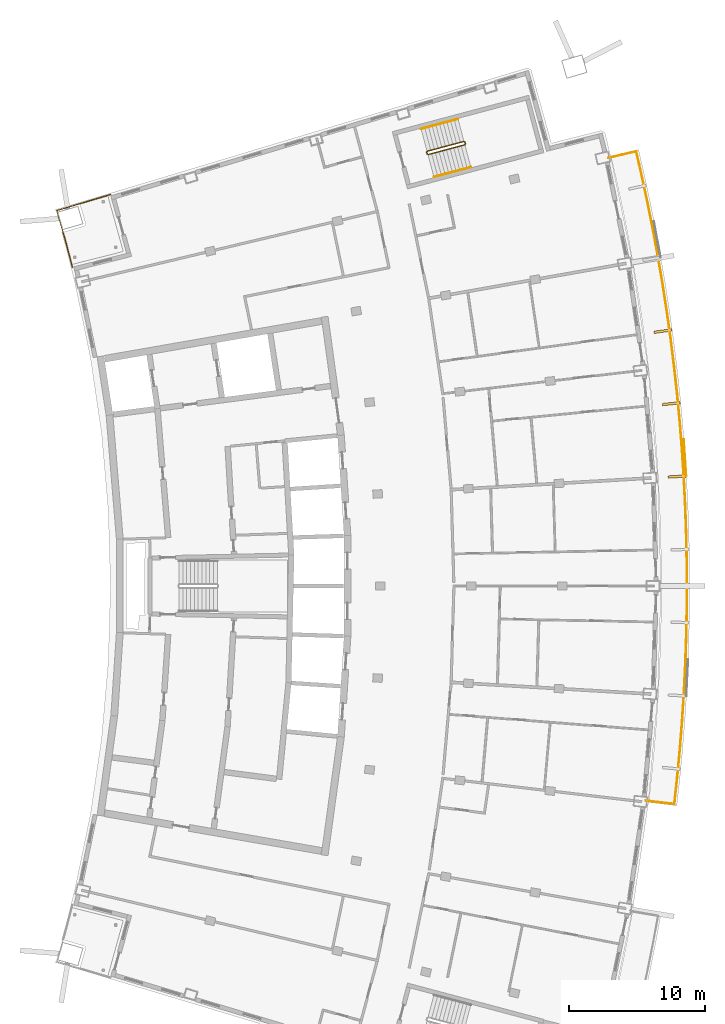
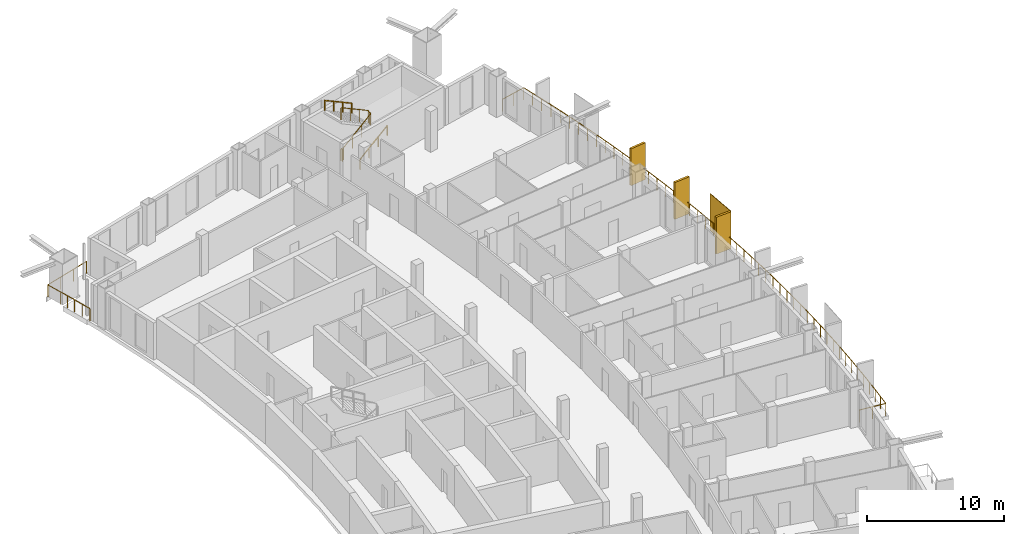
# One storey, part 14 of 15: 5 railings, 4 shading devices.
"""IFC4 building model written with IfcOpenShell, lengths in metres."""

from ifc_helpers import new_model, si_unit, direction, frame, origin, origin_2d, place, context, subcontext, project, spatial, rectangle, extrude, material, layer, layer_set, type_object, element, save


model = new_model("IFC4")

# Units and contexts
model_context = context("Model", 3, precision=1e-05, world=origin(), true_north=direction((0.0, 1.0)))
body_context = subcontext(model_context, "Body", "Model", "MODEL_VIEW")
ifc_project = project(units=[si_unit("LENGTHUNIT", "METRE"), si_unit("AREAUNIT", "SQUARE_METRE"), si_unit("VOLUMEUNIT", "CUBIC_METRE"), si_unit("PLANEANGLEUNIT", "RADIAN"), si_unit("MASSUNIT", "GRAM", prefix="KILO")], contexts=[model_context])

# Site, building, storey
site_placement = place(None, origin())
site = spatial("IfcSite", under=ifc_project, at=site_placement, CompositionType="ELEMENT")
building_placement = place(site_placement, origin())
building = spatial("IfcBuilding", under=site, at=building_placement, Name="Alderwake Tower", CompositionType="ELEMENT")
storey_placement = place(building_placement, frame((0.0, 0.0, 285.199951171875)))
storey = spatial("IfcBuildingStorey", under=building, at=storey_placement, Name="L71", CompositionType="ELEMENT", Elevation=285.199951171875)

# Railings
ifc_material_1 = material(Name="Stainless steel 316 rail and posts", Category="steel")
railing_type_1 = type_object("IfcRailingType", Name="Balcony guard 1100", PredefinedType="GUARDRAIL", material=ifc_material_1)
railing_1_placement = place(storey_placement, frame((55.28564453125, 45.243896484375, 0.0)))
element("IfcRailing", 1, at=railing_1_placement, inside=storey, type_object=railing_type_1, Name="Guard BF05", PredefinedType="GUARDRAIL", context=body_context, shape_type="SweptSolid", body=[
    extrude(rectangle(XDim=0.048095703125, YDim=0.048095703125, at=origin_2d()), frame((0.0, 0.0, 1.076171875), z_axis=(0.993287203457, -0.115674247125, 0.0), x_axis=(0.115674247125, 0.993287203457, 0.0)), (0.0, 0.0, 1.0), 2.10009765625),
    extrude(rectangle(XDim=0.048095703125, YDim=0.048095703125, at=origin_2d()), frame((2.0859375, -0.242919921875, 1.076171875), z_axis=(0.108767888102, 0.994067174047, 0.0), x_axis=(-0.994067174047, 0.108767888102, 0.0)), (0.0, 0.0, 1.0), 1.9169921875),
    extrude(rectangle(XDim=0.048095703125, YDim=0.048095703125, at=origin_2d()), frame((2.29443359375, 1.66259765625, 1.076171875), z_axis=(0.094660568138, 0.995509606604, 0.0), x_axis=(-0.995509606604, 0.094660568138, 0.0)), (0.0, 0.0, 1.0), 2.016845703125),
    extrude(rectangle(XDim=0.048095703125, YDim=0.048095703125, at=origin_2d()), frame((2.4853515625, 3.67041015625, 1.076171875), z_axis=(0.080139758047, 0.996783637095, 0.0), x_axis=(-0.996783637095, 0.080139758047, 0.0)), (0.0, 0.0, 1.0), 2.016845703125),
    extrude(rectangle(XDim=0.048095703125, YDim=0.048095703125, at=origin_2d()), frame((2.64697265625, 5.6806640625, 1.076171875), z_axis=(0.065490546604, 0.997853189756, 0.0), x_axis=(-0.997853189756, 0.065490546604, 0.0)), (0.0, 0.0, 1.0), 2.016845703125),
    extrude(rectangle(XDim=0.048095703125, YDim=0.048095703125, at=origin_2d()), frame((2.779052734375, 7.693115234375, 1.076171875), z_axis=(0.051078552606, 0.998694638748, 0.0), x_axis=(-0.998694638748, 0.051078552606, 0.0)), (0.0, 0.0, 1.0), 2.01708984375),
    extrude(rectangle(XDim=0.048095703125, YDim=0.048095703125, at=origin_2d()), frame((2.882080078125, 9.70751953125, 1.076171875), z_axis=(0.036438534793, 0.999335896074, 0.0), x_axis=(-0.999335896074, 0.036438534793, 0.0)), (0.0, 0.0, 1.0), 2.0166015625),
    extrude(rectangle(XDim=0.048095703125, YDim=0.048095703125, at=origin_2d()), frame((2.95556640625, 11.722900390625, 1.076171875), z_axis=(0.021910225153, 0.999759942203, 0.0), x_axis=(-0.999759942203, 0.021910225153, 0.0)), (0.0, 0.0, 1.0), 2.016845703125),
    extrude(rectangle(XDim=0.048095703125, YDim=0.048095703125, at=origin_2d()), frame((2.999755859375, 13.7392578125, 1.076171875), z_axis=(0.007262851653, 0.999973625145, 0.0), x_axis=(-0.999973625145, 0.007262851653, 0.0)), (0.0, 0.0, 1.0), 2.016845703125),
    extrude(rectangle(XDim=0.048095703125, YDim=0.048095703125, at=origin_2d()), frame((3.014404296875, 15.756103515625, 1.076171875), z_axis=(-0.007262851653, 0.999973625145, 0.0), x_axis=(-0.999973625145, -0.007262851653, 0.0)), (0.0, 0.0, 1.0), 2.016845703125),
    extrude(rectangle(XDim=0.048095703125, YDim=0.048095703125, at=origin_2d()), frame((2.999755859375, 17.77294921875, 1.076171875), z_axis=(-0.021910225153, 0.999759942203, 0.0), x_axis=(-0.999759942203, -0.021910225153, 0.0)), (0.0, 0.0, 1.0), 2.016845703125),
    extrude(rectangle(XDim=0.048095703125, YDim=0.048095703125, at=origin_2d()), frame((2.95556640625, 19.789306640625, 1.076171875), z_axis=(-0.036438534793, 0.999335896074, 0.0), x_axis=(-0.999335896074, -0.036438534793, 0.0)), (0.0, 0.0, 1.0), 2.0166015625),
    extrude(rectangle(XDim=0.048095703125, YDim=0.048095703125, at=origin_2d()), frame((2.882080078125, 21.8046875, 1.076171875), z_axis=(-0.051078552606, 0.998694638748, 0.0), x_axis=(-0.998694638748, -0.051078552606, 0.0)), (0.0, 0.0, 1.0), 2.01708984375),
    extrude(rectangle(XDim=0.048095703125, YDim=0.048095703125, at=origin_2d()), frame((2.779052734375, 23.819091796875, 1.076171875), z_axis=(-0.065490546604, 0.997853189756, 0.0), x_axis=(-0.997853189756, -0.065490546604, 0.0)), (0.0, 0.0, 1.0), 2.016845703125),
    extrude(rectangle(XDim=0.048095703125, YDim=0.048095703125, at=origin_2d()), frame((2.64697265625, 25.83154296875, 1.076171875), z_axis=(-0.080139758047, 0.996783637095, 0.0), x_axis=(-0.996783637095, -0.080139758047, 0.0)), (0.0, 0.0, 1.0), 2.016845703125),
    extrude(rectangle(XDim=0.048095703125, YDim=0.048095703125, at=origin_2d()), frame((2.4853515625, 27.841796875, 1.076171875), z_axis=(-0.094660568138, 0.995509606604, 0.0), x_axis=(-0.995509606604, -0.094660568138, 0.0)), (0.0, 0.0, 1.0), 2.016845703125),
    extrude(rectangle(XDim=0.048095703125, YDim=0.048095703125, at=origin_2d()), frame((2.29443359375, 29.849609375, 1.076171875), z_axis=(-0.109182608564, 0.994021709012, 0.0), x_axis=(-0.994021709012, -0.109182608564, 0.0)), (0.0, 0.0, 1.0), 2.016845703125),
    extrude(rectangle(XDim=0.048095703125, YDim=0.048095703125, at=origin_2d()), frame((2.07421875, 31.8544921875, 1.076171875), z_axis=(-0.12358778359, 0.992333643362, 0.0), x_axis=(-0.992333643362, -0.12358778359, 0.0)), (0.0, 0.0, 1.0), 2.016845703125),
    extrude(rectangle(XDim=0.048095703125, YDim=0.048095703125, at=origin_2d()), frame((1.824951171875, 33.85595703125, 1.076171875), z_axis=(-0.138115953445, 0.990416065805, 0.0), x_axis=(-0.990416065805, -0.138115953445, 0.0)), (0.0, 0.0, 1.0), 2.016845703125),
    extrude(rectangle(XDim=0.048095703125, YDim=0.048095703125, at=origin_2d()), frame((1.54638671875, 35.853515625, 1.076171875), z_axis=(-0.152530193773, 0.988298811083, 0.0), x_axis=(-0.988298811083, -0.152530193773, 0.0)), (0.0, 0.0, 1.0), 2.016845703125),
    extrude(rectangle(XDim=0.048095703125, YDim=0.048095703125, at=origin_2d()), frame((1.23876953125, 37.8466796875, 1.076171875), z_axis=(-0.166930722761, 0.985968627188, 0.0), x_axis=(-0.985968627188, -0.166930722761, 0.0)), (0.0, 0.0, 1.0), 2.016845703125),
    extrude(rectangle(XDim=0.048095703125, YDim=0.048095703125, at=origin_2d()), frame((0.902099609375, 39.835205078125, 1.076171875), z_axis=(-0.181334963414, 0.983421390373, 0.0), x_axis=(-0.983421390373, -0.181334963414, 0.0)), (0.0, 0.0, 1.0), 2.016845703125),
    extrude(rectangle(XDim=0.048095703125, YDim=0.048095703125, at=origin_2d()), frame((0.536376953125, 41.818603515625, 1.076171875), z_axis=(-0.195604007271, 0.980682962195, 0.0), x_axis=(-0.980682962195, -0.195604007271, 0.0)), (0.0, 0.0, 1.0), 2.01708984375),
    extrude(rectangle(XDim=0.048095703125, YDim=0.048095703125, at=origin_2d()), frame((0.141845703125, 43.796630859375, 1.076171875), z_axis=(-0.20990108156, 0.977722627313, 0.0), x_axis=(-0.977722627313, -0.20990108156, 0.0)), (0.0, 0.0, 1.0), 2.016845703125),
    extrude(rectangle(XDim=0.048095703125, YDim=0.048095703125, at=origin_2d()), frame((-0.281494140625, 45.7685546875, 1.076171875), z_axis=(-0.223789603838, 0.974637477842, 0.0), x_axis=(-0.974637477842, -0.223789603838, 0.0)), (0.0, 0.0, 1.0), 1.916748046875),
    extrude(rectangle(XDim=0.048095703125, YDim=0.048095703125, at=origin_2d()), frame((-0.71044921875, 47.63671875, 1.076171875), z_axis=(-0.973057638874, -0.230561990427, 0.0), x_axis=(0.230561990427, -0.973057638874, 0.0)), (0.0, 0.0, 1.0), 2.099853515625),
    extrude(rectangle(XDim=0.0419921875, YDim=0.0419921875, at=origin_2d()), frame((0.0, 0.0, 0.0), z_axis=(0.0, 0.0, 1.0), x_axis=(0.993287203457, -0.115674247125, 0.0)), (0.0, 0.0, 1.0), 1.052001953125),
    extrude(rectangle(XDim=0.0419921875, YDim=0.0419921875, at=origin_2d()), frame((1.04296875, -0.12158203125, 0.0), z_axis=(0.0, 0.0, 1.0), x_axis=(0.993287203457, -0.115674247125, 0.0)), (0.0, 0.0, 1.0), 1.052001953125),
    extrude(rectangle(XDim=0.0419921875, YDim=0.0419921875, at=origin_2d()), frame((2.0859375, -0.242919921875, 0.0), z_axis=(0.0, 0.0, 1.0), x_axis=(0.108767888102, 0.994067174047, 0.0)), (0.0, 0.0, 1.0), 1.052001953125),
    extrude(rectangle(XDim=0.0419921875, YDim=0.0419921875, at=origin_2d()), frame((2.190185546875, 0.7099609375, 0.0), z_axis=(0.0, 0.0, 1.0), x_axis=(0.108767888102, 0.994067174047, 0.0)), (0.0, 0.0, 1.0), 1.052001953125),
    extrude(rectangle(XDim=0.0419921875, YDim=0.0419921875, at=origin_2d()), frame((2.29443359375, 1.66259765625, 0.0), z_axis=(0.0, 0.0, 1.0), x_axis=(0.094660568138, 0.995509606604, 0.0)), (0.0, 0.0, 1.0), 1.052001953125),
    extrude(rectangle(XDim=0.0419921875, YDim=0.0419921875, at=origin_2d()), frame((2.389892578125, 2.66650390625, 0.0), z_axis=(0.0, 0.0, 1.0), x_axis=(0.094660568138, 0.995509606604, 0.0)), (0.0, 0.0, 1.0), 1.052001953125),
    extrude(rectangle(XDim=0.0419921875, YDim=0.0419921875, at=origin_2d()), frame((2.4853515625, 3.67041015625, 0.0), z_axis=(0.0, 0.0, 1.0), x_axis=(0.080139758047, 0.996783637095, 0.0)), (0.0, 0.0, 1.0), 1.052001953125),
    extrude(rectangle(XDim=0.0419921875, YDim=0.0419921875, at=origin_2d()), frame((2.566162109375, 4.675537109375, 0.0), z_axis=(0.0, 0.0, 1.0), x_axis=(0.080139758047, 0.996783637095, 0.0)), (0.0, 0.0, 1.0), 1.052001953125),
    extrude(rectangle(XDim=0.0419921875, YDim=0.0419921875, at=origin_2d()), frame((2.64697265625, 5.6806640625, 0.0), z_axis=(0.0, 0.0, 1.0), x_axis=(0.065490546604, 0.997853189756, 0.0)), (0.0, 0.0, 1.0), 1.052001953125),
    extrude(rectangle(XDim=0.0419921875, YDim=0.0419921875, at=origin_2d()), frame((2.712890625, 6.68701171875, 0.0), z_axis=(0.0, 0.0, 1.0), x_axis=(0.065490546604, 0.997853189756, 0.0)), (0.0, 0.0, 1.0), 1.052001953125),
    extrude(rectangle(XDim=0.0419921875, YDim=0.0419921875, at=origin_2d()), frame((2.779052734375, 7.693115234375, 0.0), z_axis=(0.0, 0.0, 1.0), x_axis=(0.051078552606, 0.998694638748, 0.0)), (0.0, 0.0, 1.0), 1.052001953125),
    extrude(rectangle(XDim=0.0419921875, YDim=0.0419921875, at=origin_2d()), frame((2.83056640625, 8.7001953125, 0.0), z_axis=(0.0, 0.0, 1.0), x_axis=(0.051078552606, 0.998694638748, 0.0)), (0.0, 0.0, 1.0), 1.052001953125),
    extrude(rectangle(XDim=0.0419921875, YDim=0.0419921875, at=origin_2d()), frame((2.882080078125, 9.70751953125, 0.0), z_axis=(0.0, 0.0, 1.0), x_axis=(0.036438534793, 0.999335896074, 0.0)), (0.0, 0.0, 1.0), 1.052001953125),
    extrude(rectangle(XDim=0.0419921875, YDim=0.0419921875, at=origin_2d()), frame((2.9189453125, 10.71533203125, 0.0), z_axis=(0.0, 0.0, 1.0), x_axis=(0.036438534793, 0.999335896074, 0.0)), (0.0, 0.0, 1.0), 1.052001953125),
    extrude(rectangle(XDim=0.0419921875, YDim=0.0419921875, at=origin_2d()), frame((2.95556640625, 11.722900390625, 0.0), z_axis=(0.0, 0.0, 1.0), x_axis=(0.021910225153, 0.999759942203, 0.0)), (0.0, 0.0, 1.0), 1.052001953125),
    extrude(rectangle(XDim=0.0419921875, YDim=0.0419921875, at=origin_2d()), frame((2.9775390625, 12.73095703125, 0.0), z_axis=(0.0, 0.0, 1.0), x_axis=(0.021910225153, 0.999759942203, 0.0)), (0.0, 0.0, 1.0), 1.052001953125),
    extrude(rectangle(XDim=0.0419921875, YDim=0.0419921875, at=origin_2d()), frame((2.999755859375, 13.7392578125, 0.0), z_axis=(0.0, 0.0, 1.0), x_axis=(0.007262851653, 0.999973625145, 0.0)), (0.0, 0.0, 1.0), 1.052001953125),
    extrude(rectangle(XDim=0.0419921875, YDim=0.0419921875, at=origin_2d()), frame((3.007080078125, 14.74755859375, 0.0), z_axis=(0.0, 0.0, 1.0), x_axis=(0.007262851653, 0.999973625145, 0.0)), (0.0, 0.0, 1.0), 1.052001953125),
    extrude(rectangle(XDim=0.0419921875, YDim=0.0419921875, at=origin_2d()), frame((3.014404296875, 15.756103515625, 0.0), z_axis=(0.0, 0.0, 1.0), x_axis=(-0.007262851653, 0.999973625145, 0.0)), (0.0, 0.0, 1.0), 1.052001953125),
    extrude(rectangle(XDim=0.0419921875, YDim=0.0419921875, at=origin_2d()), frame((3.007080078125, 16.7646484375, 0.0), z_axis=(0.0, 0.0, 1.0), x_axis=(-0.007262851653, 0.999973625145, 0.0)), (0.0, 0.0, 1.0), 1.052001953125),
    extrude(rectangle(XDim=0.0419921875, YDim=0.0419921875, at=origin_2d()), frame((2.999755859375, 17.77294921875, 0.0), z_axis=(0.0, 0.0, 1.0), x_axis=(-0.021910225153, 0.999759942203, 0.0)), (0.0, 0.0, 1.0), 1.052001953125),
    extrude(rectangle(XDim=0.0419921875, YDim=0.0419921875, at=origin_2d()), frame((2.9775390625, 18.78125, 0.0), z_axis=(0.0, 0.0, 1.0), x_axis=(-0.021910225153, 0.999759942203, 0.0)), (0.0, 0.0, 1.0), 1.052001953125),
    extrude(rectangle(XDim=0.0419921875, YDim=0.0419921875, at=origin_2d()), frame((2.95556640625, 19.789306640625, 0.0), z_axis=(0.0, 0.0, 1.0), x_axis=(-0.036438534793, 0.999335896074, 0.0)), (0.0, 0.0, 1.0), 1.052001953125),
    extrude(rectangle(XDim=0.0419921875, YDim=0.0419921875, at=origin_2d()), frame((2.9189453125, 20.796875, 0.0), z_axis=(0.0, 0.0, 1.0), x_axis=(-0.036438534793, 0.999335896074, 0.0)), (0.0, 0.0, 1.0), 1.052001953125),
    extrude(rectangle(XDim=0.0419921875, YDim=0.0419921875, at=origin_2d()), frame((2.882080078125, 21.8046875, 0.0), z_axis=(0.0, 0.0, 1.0), x_axis=(-0.051078552606, 0.998694638748, 0.0)), (0.0, 0.0, 1.0), 1.052001953125),
    extrude(rectangle(XDim=0.0419921875, YDim=0.0419921875, at=origin_2d()), frame((2.83056640625, 22.81201171875, 0.0), z_axis=(0.0, 0.0, 1.0), x_axis=(-0.051078552606, 0.998694638748, 0.0)), (0.0, 0.0, 1.0), 1.052001953125),
    extrude(rectangle(XDim=0.0419921875, YDim=0.0419921875, at=origin_2d()), frame((2.779052734375, 23.819091796875, 0.0), z_axis=(0.0, 0.0, 1.0), x_axis=(-0.065490546604, 0.997853189756, 0.0)), (0.0, 0.0, 1.0), 1.052001953125),
    extrude(rectangle(XDim=0.0419921875, YDim=0.0419921875, at=origin_2d()), frame((2.712890625, 24.8251953125, 0.0), z_axis=(0.0, 0.0, 1.0), x_axis=(-0.065490546604, 0.997853189756, 0.0)), (0.0, 0.0, 1.0), 1.052001953125),
    extrude(rectangle(XDim=0.0419921875, YDim=0.0419921875, at=origin_2d()), frame((2.64697265625, 25.83154296875, 0.0), z_axis=(0.0, 0.0, 1.0), x_axis=(-0.080139758047, 0.996783637095, 0.0)), (0.0, 0.0, 1.0), 1.052001953125),
    extrude(rectangle(XDim=0.0419921875, YDim=0.0419921875, at=origin_2d()), frame((2.566162109375, 26.836669921875, 0.0), z_axis=(0.0, 0.0, 1.0), x_axis=(-0.080139758047, 0.996783637095, 0.0)), (0.0, 0.0, 1.0), 1.052001953125),
    extrude(rectangle(XDim=0.0419921875, YDim=0.0419921875, at=origin_2d()), frame((2.4853515625, 27.841796875, 0.0), z_axis=(0.0, 0.0, 1.0), x_axis=(-0.094660568138, 0.995509606604, 0.0)), (0.0, 0.0, 1.0), 1.052001953125),
    extrude(rectangle(XDim=0.0419921875, YDim=0.0419921875, at=origin_2d()), frame((2.389892578125, 28.845703125, 0.0), z_axis=(0.0, 0.0, 1.0), x_axis=(-0.094660568138, 0.995509606604, 0.0)), (0.0, 0.0, 1.0), 1.052001953125),
    extrude(rectangle(XDim=0.0419921875, YDim=0.0419921875, at=origin_2d()), frame((2.29443359375, 29.849609375, 0.0), z_axis=(0.0, 0.0, 1.0), x_axis=(-0.109182608564, 0.994021709012, 0.0)), (0.0, 0.0, 1.0), 1.052001953125),
    extrude(rectangle(XDim=0.0419921875, YDim=0.0419921875, at=origin_2d()), frame((2.184326171875, 30.85205078125, 0.0), z_axis=(0.0, 0.0, 1.0), x_axis=(-0.109182608564, 0.994021709012, 0.0)), (0.0, 0.0, 1.0), 1.052001953125),
    extrude(rectangle(XDim=0.0419921875, YDim=0.0419921875, at=origin_2d()), frame((2.07421875, 31.8544921875, 0.0), z_axis=(0.0, 0.0, 1.0), x_axis=(-0.12358778359, 0.992333643362, 0.0)), (0.0, 0.0, 1.0), 1.052001953125),
    extrude(rectangle(XDim=0.0419921875, YDim=0.0419921875, at=origin_2d()), frame((1.94970703125, 32.855224609375, 0.0), z_axis=(0.0, 0.0, 1.0), x_axis=(-0.12358778359, 0.992333643362, 0.0)), (0.0, 0.0, 1.0), 1.052001953125),
    extrude(rectangle(XDim=0.0419921875, YDim=0.0419921875, at=origin_2d()), frame((1.824951171875, 33.85595703125, 0.0), z_axis=(0.0, 0.0, 1.0), x_axis=(-0.138115953445, 0.990416065805, 0.0)), (0.0, 0.0, 1.0), 1.052001953125),
    extrude(rectangle(XDim=0.0419921875, YDim=0.0419921875, at=origin_2d()), frame((1.685546875, 34.854736328125, 0.0), z_axis=(0.0, 0.0, 1.0), x_axis=(-0.138115953445, 0.990416065805, 0.0)), (0.0, 0.0, 1.0), 1.052001953125),
    extrude(rectangle(XDim=0.0419921875, YDim=0.0419921875, at=origin_2d()), frame((1.54638671875, 35.853515625, 0.0), z_axis=(0.0, 0.0, 1.0), x_axis=(-0.152530193773, 0.988298811083, 0.0)), (0.0, 0.0, 1.0), 1.052001953125),
    extrude(rectangle(XDim=0.0419921875, YDim=0.0419921875, at=origin_2d()), frame((1.392578125, 36.85009765625, 0.0), z_axis=(0.0, 0.0, 1.0), x_axis=(-0.152530193773, 0.988298811083, 0.0)), (0.0, 0.0, 1.0), 1.052001953125),
    extrude(rectangle(XDim=0.0419921875, YDim=0.0419921875, at=origin_2d()), frame((1.23876953125, 37.8466796875, 0.0), z_axis=(0.0, 0.0, 1.0), x_axis=(-0.166930722761, 0.985968627188, 0.0)), (0.0, 0.0, 1.0), 1.052001953125),
    extrude(rectangle(XDim=0.0419921875, YDim=0.0419921875, at=origin_2d()), frame((1.0703125, 38.8408203125, 0.0), z_axis=(0.0, 0.0, 1.0), x_axis=(-0.166930722761, 0.985968627188, 0.0)), (0.0, 0.0, 1.0), 1.052001953125),
    extrude(rectangle(XDim=0.0419921875, YDim=0.0419921875, at=origin_2d()), frame((0.902099609375, 39.835205078125, 0.0), z_axis=(0.0, 0.0, 1.0), x_axis=(-0.181334963414, 0.983421390373, 0.0)), (0.0, 0.0, 1.0), 1.052001953125),
    extrude(rectangle(XDim=0.0419921875, YDim=0.0419921875, at=origin_2d()), frame((0.71923828125, 40.826904296875, 0.0), z_axis=(0.0, 0.0, 1.0), x_axis=(-0.181334963414, 0.983421390373, 0.0)), (0.0, 0.0, 1.0), 1.052001953125),
    extrude(rectangle(XDim=0.0419921875, YDim=0.0419921875, at=origin_2d()), frame((0.536376953125, 41.818603515625, 0.0), z_axis=(0.0, 0.0, 1.0), x_axis=(-0.195604007271, 0.980682962195, 0.0)), (0.0, 0.0, 1.0), 1.052001953125),
    extrude(rectangle(XDim=0.0419921875, YDim=0.0419921875, at=origin_2d()), frame((0.339111328125, 42.8076171875, 0.0), z_axis=(0.0, 0.0, 1.0), x_axis=(-0.195604007271, 0.980682962195, 0.0)), (0.0, 0.0, 1.0), 1.052001953125),
    extrude(rectangle(XDim=0.0419921875, YDim=0.0419921875, at=origin_2d()), frame((0.141845703125, 43.796630859375, 0.0), z_axis=(0.0, 0.0, 1.0), x_axis=(-0.20990108156, 0.977722627313, 0.0)), (0.0, 0.0, 1.0), 1.052001953125),
    extrude(rectangle(XDim=0.0419921875, YDim=0.0419921875, at=origin_2d()), frame((-0.06982421875, 44.78271484375, 0.0), z_axis=(0.0, 0.0, 1.0), x_axis=(-0.20990108156, 0.977722627313, 0.0)), (0.0, 0.0, 1.0), 1.052001953125),
    extrude(rectangle(XDim=0.0419921875, YDim=0.0419921875, at=origin_2d()), frame((-0.281494140625, 45.7685546875, 0.0), z_axis=(0.0, 0.0, 1.0), x_axis=(-0.223789603838, 0.974637477842, 0.0)), (0.0, 0.0, 1.0), 1.052001953125),
    extrude(rectangle(XDim=0.0419921875, YDim=0.0419921875, at=origin_2d()), frame((-0.49609375, 46.70263671875, 0.0), z_axis=(0.0, 0.0, 1.0), x_axis=(-0.223789603838, 0.974637477842, 0.0)), (0.0, 0.0, 1.0), 1.052001953125),
    extrude(rectangle(XDim=0.0419921875, YDim=0.0419921875, at=origin_2d()), frame((-0.71044921875, 47.63671875, 0.0), z_axis=(0.0, 0.0, 1.0), x_axis=(-0.973057638874, -0.230561990427, 0.0)), (0.0, 0.0, 1.0), 1.052001953125),
    extrude(rectangle(XDim=0.0419921875, YDim=0.0419921875, at=origin_2d()), frame((-1.73193359375, 47.39453125, 0.0), z_axis=(0.0, 0.0, 1.0), x_axis=(-0.973057638874, -0.230561990427, 0.0)), (0.0, 0.0, 1.0), 1.052001953125),
    extrude(rectangle(XDim=0.0419921875, YDim=0.0419921875, at=origin_2d()), frame((-2.753662109375, 47.152587890625, 0.0), z_axis=(0.0, 0.0, 1.0), x_axis=(-0.973057638874, -0.230561990427, 0.0)), (0.0, 0.0, 1.0), 1.052001953125),
])
railing_2_placement = place(storey_placement, frame((13.210693359375, 84.387451171875, 0.0)))
element("IfcRailing", 2, at=railing_2_placement, inside=storey, type_object=railing_type_1, Name="Guard terrace RN", PredefinedType="GUARDRAIL", context=body_context, shape_type="SweptSolid", body=[
    extrude(rectangle(XDim=0.048095703125, YDim=0.048095703125, at=origin_2d()), frame((0.0, 0.0, 1.076171875), z_axis=(-0.251385381433, 0.967887075026, 0.0), x_axis=(-0.967887075026, -0.251385381433, 0.0)), (0.0, 0.0, 1.0), 1.6015625),
    extrude(rectangle(XDim=0.048095703125, YDim=0.048095703125, at=origin_2d()), frame((-0.402587890625, 1.550048828125, 1.076171875), z_axis=(-0.266520638672, 0.963829211615, 0.0), x_axis=(-0.963829211615, -0.266520638672, 0.0)), (0.0, 0.0, 1.0), 1.401611328125),
    extrude(rectangle(XDim=0.048095703125, YDim=0.048095703125, at=origin_2d()), frame((-0.776123046875, 2.90087890625, 1.076171875), z_axis=(-0.280093650878, 0.959972680204, 0.0), x_axis=(-0.959972680204, -0.280093650878, 0.0)), (0.0, 0.0, 1.0), 1.30126953125),
    extrude(rectangle(XDim=0.048095703125, YDim=0.048095703125, at=origin_2d()), frame((-1.140625, 4.150146484375, 1.076171875), z_axis=(0.958066871889, 0.286544706789, 0.0), x_axis=(-0.286544706789, 0.958066871889, 0.0)), (0.0, 0.0, 1.0), 4.099853515625),
    extrude(rectangle(XDim=0.0419921875, YDim=0.0419921875, at=origin_2d()), frame((0.0, 0.0, 0.0), z_axis=(0.0, 0.0, 1.0), x_axis=(-0.251385381433, 0.967887075026, 0.0)), (0.0, 0.0, 1.0), 1.052001953125),
    extrude(rectangle(XDim=0.0419921875, YDim=0.0419921875, at=origin_2d()), frame((-0.201171875, 0.77490234375, 0.0), z_axis=(0.0, 0.0, 1.0), x_axis=(-0.251385381433, 0.967887075026, 0.0)), (0.0, 0.0, 1.0), 1.052001953125),
    extrude(rectangle(XDim=0.0419921875, YDim=0.0419921875, at=origin_2d()), frame((-0.402587890625, 1.550048828125, 0.0), z_axis=(0.0, 0.0, 1.0), x_axis=(-0.266520638672, 0.963829211615, 0.0)), (0.0, 0.0, 1.0), 1.052001953125),
    extrude(rectangle(XDim=0.0419921875, YDim=0.0419921875, at=origin_2d()), frame((-0.58935546875, 2.2255859375, 0.0), z_axis=(0.0, 0.0, 1.0), x_axis=(-0.266520638672, 0.963829211615, 0.0)), (0.0, 0.0, 1.0), 1.052001953125),
    extrude(rectangle(XDim=0.0419921875, YDim=0.0419921875, at=origin_2d()), frame((-0.776123046875, 2.90087890625, 0.0), z_axis=(0.0, 0.0, 1.0), x_axis=(-0.280093650878, 0.959972680204, 0.0)), (0.0, 0.0, 1.0), 1.052001953125),
    extrude(rectangle(XDim=0.0419921875, YDim=0.0419921875, at=origin_2d()), frame((-1.140625, 4.150146484375, 0.0), z_axis=(0.0, 0.0, 1.0), x_axis=(0.958066871889, 0.286544706789, 0.0)), (0.0, 0.0, 1.0), 1.052001953125),
    extrude(rectangle(XDim=0.0419921875, YDim=0.0419921875, at=origin_2d()), frame((0.168701171875, 4.541748046875, 0.0), z_axis=(0.0, 0.0, 1.0), x_axis=(0.958066871889, 0.286544706789, 0.0)), (0.0, 0.0, 1.0), 1.052001953125),
    extrude(rectangle(XDim=0.0419921875, YDim=0.0419921875, at=origin_2d()), frame((1.47802734375, 4.933349609375, 0.0), z_axis=(0.0, 0.0, 1.0), x_axis=(0.958066871889, 0.286544706789, 0.0)), (0.0, 0.0, 1.0), 1.052001953125),
    extrude(rectangle(XDim=0.0419921875, YDim=0.0419921875, at=origin_2d()), frame((2.787353515625, 5.324951171875, 0.0), z_axis=(0.0, 0.0, 1.0), x_axis=(0.958066871889, 0.286544706789, 0.0)), (0.0, 0.0, 1.0), 1.052001953125),
])

# Shading devices
ifc_material_2 = material(Name="Bronze anodised aluminium", Category="aluminium")
ifc_layer_1 = layer(ifc_material_2, 0.179931640625)
ifc_layer_set_1 = layer_set([ifc_layer_1], Name="Facade fin 1300")
shading_device_type_1 = type_object("IfcShadingDeviceType", Name="Facade fin 1300", PredefinedType="USERDEFINED", material=ifc_layer_set_1)
for number, where, z_axis, x_axis, name in (
    (3, (57.56591796875, 69.029296875, 0.0), (0.0, 0.0, 1.0), (0.998301080988, 0.058266214038, 0.0), "Fin"),
    (4, (57.149658203125, 74.373046875, 0.0), (0.0, 0.0, 1.0), (0.995279882363, 0.097046152751, 0.0), "Fin"),
    (5, (56.525634765625, 79.69677734375, 0.0), (0.0, 0.0, 1.0), (0.990752577235, 0.135680988728, 0.0), "Fin"),
):
    element("IfcShadingDevice", number, at=place(storey_placement, frame(where, z_axis=z_axis, x_axis=x_axis)), inside=storey, type_object=shading_device_type_1, Name=name, ObjectType="FIN", PredefinedType="USERDEFINED", context=body_context, shape_type="SweptSolid", body=[
        extrude(rectangle(XDim=1.300048828125, YDim=0.179931640625, at=origin_2d()), origin(), (0.0, 0.0, 1.0), 3.280029296875),
    ])
ifc_material_3 = material(Name="Perforated bronze anodised aluminium", Category="aluminium")
ifc_layer_2 = layer(ifc_material_3, 0.050048828125)
ifc_layer_set_2 = layer_set([ifc_layer_2], Name="Perforated screen panel")
shading_device_type_2 = type_object("IfcShadingDeviceType", Name="Perforated screen panel", PredefinedType="USERDEFINED", material=ifc_layer_set_2)
shading_device_placement = place(storey_placement, frame((58.14794921875, 70.41552734375, 0.0), z_axis=(0.0, 0.0, 1.0), x_axis=(0.997685465774, 0.067997877779, 0.0)))
element("IfcShadingDevice", 6, at=shading_device_placement, inside=storey, type_object=shading_device_type_2, Name="Screen panel", ObjectType="SCREEN", PredefinedType="USERDEFINED", context=body_context, shape_type="SweptSolid", body=[
    extrude(rectangle(XDim=0.050048828125, YDim=2.7001953125, at=origin_2d()), origin(), (0.0, 0.0, 1.0), 3.280029296875),
])

# Railings
ifc_material_4 = material(Name="Stainless steel guard", Category="steel")
railing_type_2 = type_object("IfcRailingType", Name="Stair guard 1100", PredefinedType="GUARDRAIL", material=ifc_material_4)
railing_3_placement = place(storey_placement, frame((39.23291015625, 92.6806640625, 0.0)))
element("IfcRailing", 7, at=railing_3_placement, inside=storey, type_object=railing_type_2, Name="L71 ST-A stair guard 1", PredefinedType="GUARDRAIL", context=body_context, shape_type="SweptSolid", body=[
    extrude(rectangle(XDim=0.048095703125, YDim=0.048095703125, at=origin_2d()), frame((0.0, 0.0, 1.076171875), z_axis=(-0.257055032184, 0.966396766566, 0.0), x_axis=(-0.966396766566, -0.257055032184, 0.0)), (0.0, 0.0, 1.0), 0.150146484375),
    extrude(rectangle(XDim=0.048095703125, YDim=0.048095703125, at=origin_2d()), frame((-0.03857421875, 0.14501953125, 1.076171875), z_axis=(0.379370725808, -0.685464465458, 0.621463047167), x_axis=(0.874937996095, 0.484234966715, 0.0)), (0.0, 0.0, 1.0), 0.26318359375),
    extrude(rectangle(XDim=0.048095703125, YDim=0.048095703125, at=origin_2d()), frame((0.061279296875, -0.035400390625, 1.23974609375), z_axis=(0.834258940753, 0.22222815314, 0.504605457487), x_axis=(-0.257402139082, 0.966304371715, 0.0)), (0.0, 0.0, 1.0), 3.2431640625),
    extrude(rectangle(XDim=0.048095703125, YDim=0.048095703125, at=origin_2d()), frame((2.766845703125, 0.685302734375, 2.8759765625), z_axis=(0.500220121494, 0.865898279276, 0.0), x_axis=(-0.865898279276, 0.500220121494, 0.0)), (0.0, 0.0, 1.0), 0.07080078125),
    extrude(rectangle(XDim=0.048095703125, YDim=0.048095703125, at=origin_2d()), frame((2.80224609375, 0.74658203125, 2.8759765625), z_axis=(-0.257459803502, 0.966289009345, 0.0), x_axis=(-0.966289009345, -0.257459803502, 0.0)), (0.0, 0.0, 1.0), 0.14990234375),
    extrude(rectangle(XDim=0.048095703125, YDim=0.048095703125, at=origin_2d()), frame((2.763671875, 0.891357421875, 2.8759765625), z_axis=(-0.34252489212, 0.200034536998, 0.917966710881), x_axis=(-0.504300490226, -0.863528236688, 0.0)), (0.0, 0.0, 1.0), 0.17822265625),
    extrude(rectangle(XDim=0.048095703125, YDim=0.048095703125, at=origin_2d()), frame((2.70263671875, 0.927001953125, 3.03955078125), z_axis=(-0.834281824786, -0.222214197128, 0.504573768072), x_axis=(0.257380452725, -0.966310148221, 0.0)), (0.0, 0.0, 1.0), 3.2431640625),
    extrude(rectangle(XDim=0.0419921875, YDim=0.0419921875, at=origin_2d()), frame((0.0, 0.0, 0.0), z_axis=(0.0, 0.0, 1.0), x_axis=(-0.257055032184, 0.966396766566, 0.0)), (0.0, 0.0, 1.0), 1.052001953125),
    extrude(rectangle(XDim=0.0419921875, YDim=0.0419921875, at=origin_2d()), frame((-0.03857421875, 0.14501953125, 0.0), z_axis=(0.0, 0.0, 1.0), x_axis=(0.484234966715, -0.874937996095, 0.0)), (0.0, 0.0, 1.0), 1.052001953125),
    extrude(rectangle(XDim=0.0419921875, YDim=0.0419921875, at=origin_2d()), frame((0.061279296875, -0.035400390625, 0.16357421875), z_axis=(0.0, 0.0, 1.0), x_axis=(0.966304371715, 0.257402139082, 0.0)), (0.0, 0.0, 1.0), 1.052001953125),
    extrude(rectangle(XDim=0.0419921875, YDim=0.0419921875, at=origin_2d()), frame((0.963134765625, 0.204833984375, 0.708984375), z_axis=(0.0, 0.0, 1.0), x_axis=(0.966304371715, 0.257402139082, 0.0)), (0.0, 0.0, 1.0), 1.052001953125),
    extrude(rectangle(XDim=0.0419921875, YDim=0.0419921875, at=origin_2d()), frame((1.864990234375, 0.445068359375, 1.254638671875), z_axis=(0.0, 0.0, 1.0), x_axis=(0.966304371715, 0.257402139082, 0.0)), (0.0, 0.0, 1.0), 1.052001953125),
    extrude(rectangle(XDim=0.0419921875, YDim=0.0419921875, at=origin_2d()), frame((2.766845703125, 0.685302734375, 1.800048828125), z_axis=(0.0, 0.0, 1.0), x_axis=(0.500220121494, 0.865898279276, 0.0)), (0.0, 0.0, 1.0), 1.052001953125),
    extrude(rectangle(XDim=0.0419921875, YDim=0.0419921875, at=origin_2d()), frame((2.80224609375, 0.74658203125, 1.800048828125), z_axis=(0.0, 0.0, 1.0), x_axis=(-0.257459803502, 0.966289009345, 0.0)), (0.0, 0.0, 1.0), 1.052001953125),
    extrude(rectangle(XDim=0.0419921875, YDim=0.0419921875, at=origin_2d()), frame((2.763671875, 0.891357421875, 1.800048828125), z_axis=(0.0, 0.0, 1.0), x_axis=(-0.863528236688, 0.504300490226, 0.0)), (0.0, 0.0, 1.0), 1.052001953125),
    extrude(rectangle(XDim=0.0419921875, YDim=0.0419921875, at=origin_2d()), frame((2.70263671875, 0.927001953125, 1.963623046875), z_axis=(0.0, 0.0, 1.0), x_axis=(-0.966310148221, -0.257380452725, 0.0)), (0.0, 0.0, 1.0), 1.052001953125),
    extrude(rectangle(XDim=0.0419921875, YDim=0.0419921875, at=origin_2d()), frame((1.80078125, 0.686767578125, 2.509033203125), z_axis=(0.0, 0.0, 1.0), x_axis=(-0.966310148221, -0.257380452725, 0.0)), (0.0, 0.0, 1.0), 1.052001953125),
    extrude(rectangle(XDim=0.0419921875, YDim=0.0419921875, at=origin_2d()), frame((0.898681640625, 0.446533203125, 3.0546875), z_axis=(0.0, 0.0, 1.0), x_axis=(-0.966310148221, -0.257380452725, 0.0)), (0.0, 0.0, 1.0), 1.052001953125),
    extrude(rectangle(XDim=0.0419921875, YDim=0.0419921875, at=origin_2d()), frame((-0.003173828125, 0.206298828125, 3.60009765625), z_axis=(0.0, 0.0, 1.0), x_axis=(-0.966310148221, -0.257380452725, 0.0)), (0.0, 0.0, 1.0), 1.052001953125),
])
ifc_material_5 = material(Name="Stainless steel handrail", Category="steel")
railing_type_3 = type_object("IfcRailingType", Name="Stair handrail 900", PredefinedType="HANDRAIL", material=ifc_material_5)
railing_4_placement = place(storey_placement, frame((39.731689453125, 91.002685546875, 0.16357421875)))
element("IfcRailing", 8, at=railing_4_placement, inside=storey, type_object=railing_type_3, Name="L71 ST-A stair handrail 1", PredefinedType="HANDRAIL", context=body_context, shape_type="SweptSolid", body=[
    extrude(rectangle(XDim=0.048095703125, YDim=0.048095703125, at=origin_2d()), frame((0.0, 0.0, 0.8759765625), z_axis=(0.834258940753, 0.22222815314, 0.504605457487), x_axis=(-0.257402139082, 0.966304371715, 0.0)), (0.0, 0.0, 1.0), 3.2431640625),
    extrude(rectangle(XDim=0.0419921875, YDim=0.0419921875, at=origin_2d()), frame((0.0, 0.0, 0.0), z_axis=(0.0, 0.0, 1.0), x_axis=(0.966304371715, 0.257402139082, 0.0)), (0.0, 0.0, 1.0), 0.851806640625),
    extrude(rectangle(XDim=0.0419921875, YDim=0.0419921875, at=origin_2d()), frame((0.90185546875, 0.240234375, 0.54541015625), z_axis=(0.0, 0.0, 1.0), x_axis=(0.966304371715, 0.257402139082, 0.0)), (0.0, 0.0, 1.0), 0.851806640625),
    extrude(rectangle(XDim=0.0419921875, YDim=0.0419921875, at=origin_2d()), frame((1.8037109375, 0.48046875, 1.091064453125), z_axis=(0.0, 0.0, 1.0), x_axis=(0.966304371715, 0.257402139082, 0.0)), (0.0, 0.0, 1.0), 0.851806640625),
    extrude(rectangle(XDim=0.0419921875, YDim=0.0419921875, at=origin_2d()), frame((2.70556640625, 0.720703125, 1.636474609375), z_axis=(0.0, 0.0, 1.0), x_axis=(0.966304371715, 0.257402139082, 0.0)), (0.0, 0.0, 1.0), 0.851806640625),
])
railing_5_placement = place(storey_placement, frame((41.497802734375, 95.250244140625, 1.963623046875)))
element("IfcRailing", 9, at=railing_5_placement, inside=storey, type_object=railing_type_3, Name="L71 ST-A stair handrail 2", PredefinedType="HANDRAIL", context=body_context, shape_type="SweptSolid", body=[
    extrude(rectangle(XDim=0.048095703125, YDim=0.048095703125, at=origin_2d()), frame((0.0, 0.0, 0.8759765625), z_axis=(-0.834258940753, -0.22222815314, 0.504605457487), x_axis=(0.257402139082, -0.966304371715, 0.0)), (0.0, 0.0, 1.0), 3.2431640625),
    extrude(rectangle(XDim=0.0419921875, YDim=0.0419921875, at=origin_2d()), frame((0.0, 0.0, 0.0), z_axis=(0.0, 0.0, 1.0), x_axis=(-0.966304371715, -0.257402139082, 0.0)), (0.0, 0.0, 1.0), 0.851806640625),
    extrude(rectangle(XDim=0.0419921875, YDim=0.0419921875, at=origin_2d()), frame((-0.90185546875, -0.240234375, 0.54541015625), z_axis=(0.0, 0.0, 1.0), x_axis=(-0.966304371715, -0.257402139082, 0.0)), (0.0, 0.0, 1.0), 0.851806640625),
    extrude(rectangle(XDim=0.0419921875, YDim=0.0419921875, at=origin_2d()), frame((-1.8037109375, -0.48046875, 1.091064453125), z_axis=(0.0, 0.0, 1.0), x_axis=(-0.966304371715, -0.257402139082, 0.0)), (0.0, 0.0, 1.0), 0.851806640625),
    extrude(rectangle(XDim=0.0419921875, YDim=0.0419921875, at=origin_2d()), frame((-2.70556640625, -0.720703125, 1.636474609375), z_axis=(0.0, 0.0, 1.0), x_axis=(-0.966304371715, -0.257402139082, 0.0)), (0.0, 0.0, 1.0), 0.851806640625),
])

save(model, "model.ifc")
